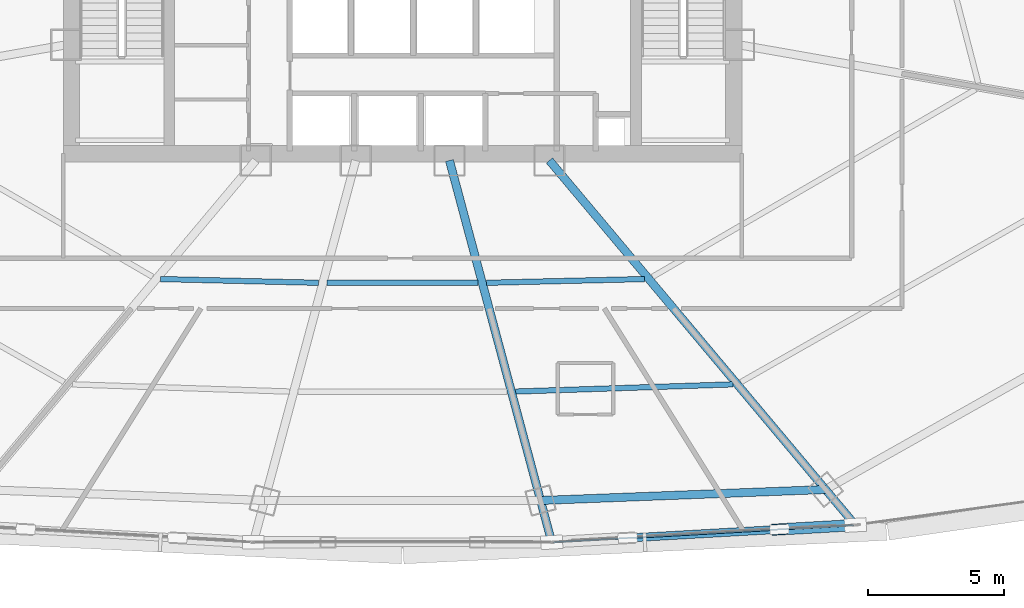
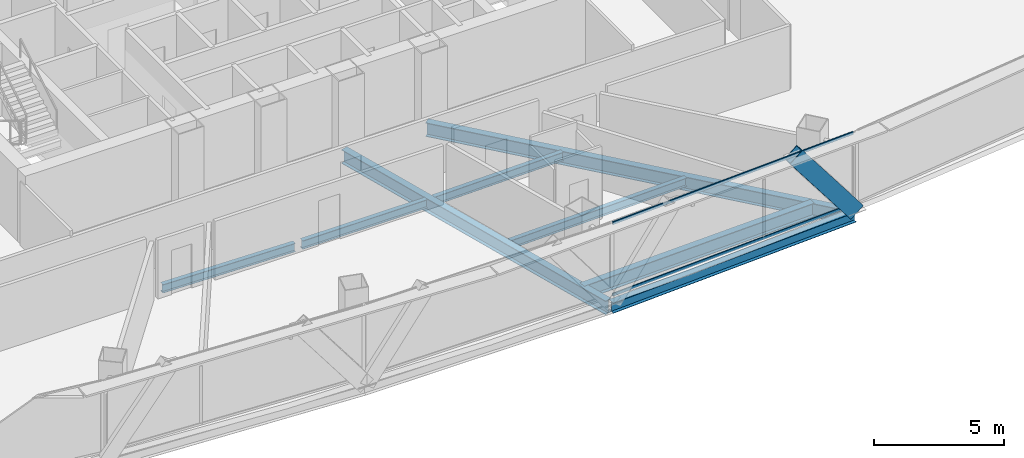
# One storey, part 13 of 39: 8 beams, 3 members, 1 element without a shape of its own.
"""IFC4 building model written with IfcOpenShell, lengths in metres."""

from ifc_helpers import new_model, si_unit, direction, frame, origin, origin_2d, place, context, subcontext, project, spatial, hollow_rectangle, i_section, extrude, source, transform, mapped, material, layer, layer_set, material_profile, profile_set, type_object, element, aggregate, save


model = new_model("IFC4")

# Units and contexts
model_context = context("Model", 3, precision=1e-05, world=origin(), true_north=direction((0.0, 1.0)))
body_context = subcontext(model_context, "Body", "Model", "MODEL_VIEW")
ifc_project = project(units=[si_unit("LENGTHUNIT", "METRE"), si_unit("AREAUNIT", "SQUARE_METRE"), si_unit("VOLUMEUNIT", "CUBIC_METRE"), si_unit("PLANEANGLEUNIT", "RADIAN"), si_unit("MASSUNIT", "GRAM", prefix="KILO"), si_unit("THERMODYNAMICTEMPERATUREUNIT", "KELVIN"), si_unit("POWERUNIT", "WATT")], contexts=[model_context])

# Site, building, storey
site_placement = place(None, origin())
site = spatial("IfcSite", under=ifc_project, at=site_placement, CompositionType="ELEMENT")
building_placement = place(site_placement, origin())
building = spatial("IfcBuilding", under=site, at=building_placement, Name="Yunzhuo Pagoda Commons", CompositionType="ELEMENT")
storey_placement = place(building_placement, frame((0.0, 0.0, 144.550048828125)))
storey = spatial("IfcBuildingStorey", under=building, at=storey_placement, Name="L36", CompositionType="ELEMENT", Elevation=144.550048828125)

# Beams
ifc_material_1 = material(Name="Structural steel Q355B", Category="steel")
ifc_material_profile_1 = material_profile(ifc_material_1, i_section(OverallWidth=0.300048828125, OverallDepth=0.64990234375, WebThickness=0.012939453125, FlangeThickness=0.02197265625, at=origin_2d()), Name="Structural steel Q355B")
ifc_profile_set_1 = profile_set([ifc_material_profile_1], Name="Structural steel Q355B")
beam_type_1 = type_object("IfcBeamType", Name="B-RG2 Beam HN 650x300x13x22", PredefinedType="BEAM", material=ifc_profile_set_1)
shared_shape_1 = source(origin(), body_context, "Body", "SweptSolid", [
    extrude(i_section(OverallWidth=0.300048828125, OverallDepth=0.64990234375, WebThickness=0.012939453125, FlangeThickness=0.02197265625, at=origin_2d()), origin(), (0.0, 0.0, 1.0), 10.5078125),
])
beam_1_placement = place(storey_placement, frame((53.085205078125, 14.7216796875, -0.5849609375), z_axis=(0.999258632812, 0.03849915259, 0.0), x_axis=(-0.03849915259, 0.999258632812, 0.0)))
element("IfcBeam", 1, at=beam_1_placement, inside=storey, type_object=beam_type_1, Name="L36 column-ring beam 3", PredefinedType="BEAM", context=body_context, shape_type="MappedRepresentation", body=[
    mapped(shared_shape_1, transform((0.0, 0.0, 0.0), scale=1.0)),
])
ifc_material_profile_2 = material_profile(ifc_material_1, i_section(OverallWidth=0.199951171875, OverallDepth=0.39990234375, WebThickness=0.008056640625, FlangeThickness=0.012939453125, at=origin_2d()), Name="Structural steel Q355B")
ifc_profile_set_2 = profile_set([ifc_material_profile_2], Name="Structural steel Q355B")
beam_type_2 = type_object("IfcBeamType", Name="B-JS1 Joist HN 400x200x8x13", PredefinedType="JOIST", material=ifc_profile_set_2)
shared_shape_2 = source(origin(), body_context, "Body", "SweptSolid", [
    extrude(i_section(OverallWidth=0.199951171875, OverallDepth=0.39990234375, WebThickness=0.008056640625, FlangeThickness=0.012939453125, at=origin_2d()), origin(), (0.0, 0.0, 1.0), 5.821533203125),
])
for number, where, z_axis, x_axis, name in (
    (2, (39.08447265625, 22.881591796875, -0.4599609375), (0.999718239795, -0.023736912649, 0.0), (0.023736912649, 0.999718239795, 0.0), "L36 composite ring joist 1.1"),
    (3, (51.095703125, 22.743408203125, -0.4599609375), (0.999718239795, 0.023736912649, 0.0), (-0.023736912649, 0.999718239795, 0.0), "L36 composite ring joist 1.3"),
):
    element("IfcBeam", number, at=place(storey_placement, frame(where, z_axis=z_axis, x_axis=x_axis)), inside=storey, type_object=beam_type_2, Name=name, PredefinedType="JOIST", context=body_context, shape_type="MappedRepresentation", body=[
        mapped(shared_shape_2, transform((0.0, 0.0, 0.0), scale=1.0)),
    ])
shared_shape_3 = source(origin(), body_context, "Body", "SweptSolid", [
    extrude(i_section(OverallWidth=0.199951171875, OverallDepth=0.39990234375, WebThickness=0.008056640625, FlangeThickness=0.012939453125, at=origin_2d()), origin(), (0.0, 0.0, 1.0), 8.00537109375),
])
beam_2_placement = place(storey_placement, frame((52.169921875, 18.73583984375, -0.4599609375), z_axis=(0.999453403952, 0.033058937199, 0.0), x_axis=(-0.033058937199, 0.999453403952, 0.0)))
element("IfcBeam", 4, at=beam_2_placement, inside=storey, type_object=beam_type_2, Name="L36 composite ring joist 2.3", PredefinedType="JOIST", context=body_context, shape_type="MappedRepresentation", body=[
    mapped(shared_shape_3, transform((0.0, 0.0, 0.0), scale=1.0)),
])
shared_shape_4 = source(origin(), body_context, "Body", "SweptSolid", [
    extrude(i_section(OverallWidth=0.199951171875, OverallDepth=0.39990234375, WebThickness=0.008056640625, FlangeThickness=0.012939453125, at=origin_2d()), origin(), (0.0, 0.0, 1.0), 5.5556640625),
])
beam_3_placement = place(storey_placement, frame((45.22216796875, 22.73974609375, -0.4599609375), z_axis=(1.0, 0.0, 0.0), x_axis=(0.0, 1.0, 0.0)))
element("IfcBeam", 5, at=beam_3_placement, inside=storey, type_object=beam_type_2, Name="L36 composite ring joist 1.2", PredefinedType="JOIST", context=body_context, shape_type="MappedRepresentation", body=[
    mapped(shared_shape_4, transform((0.0, 0.0, 0.0), scale=1.0)),
])
shared_shape_5 = source(origin(), body_context, "Body", "SweptSolid", [
    extrude(i_section(OverallWidth=0.300048828125, OverallDepth=0.64990234375, WebThickness=0.012939453125, FlangeThickness=0.02197265625, at=origin_2d()), origin(), (0.0, 0.0, 1.0), 14.41064453125),
])
beam_4_placement = place(storey_placement, frame((53.4580078125, 13.330322265625, -0.5849609375), z_axis=(-0.258801290743, 0.96593058338, 0.0), x_axis=(-0.96593058338, -0.258801290743, 0.0)))
element("IfcBeam", 6, at=beam_4_placement, inside=storey, type_object=beam_type_1, Name="L36 radial floor girder F1C3", PredefinedType="BEAM", context=body_context, shape_type="MappedRepresentation", body=[
    mapped(shared_shape_5, transform((0.0, 0.0, 0.0), scale=1.0)),
])
shared_shape_6 = source(origin(), body_context, "Body", "SweptSolid", [
    extrude(i_section(OverallWidth=0.300048828125, OverallDepth=0.64990234375, WebThickness=0.012939453125, FlangeThickness=0.02197265625, at=origin_2d()), origin(), (0.0, 0.0, 1.0), 17.383544921875),
])
beam_5_placement = place(storey_placement, frame((64.586181640625, 13.93359375, -0.5849609375), z_axis=(-0.642797085121, 0.766036492186, 0.0), x_axis=(-0.766036492186, -0.642797085121, 0.0)))
element("IfcBeam", 7, at=beam_5_placement, inside=storey, type_object=beam_type_1, Name="L36 radial floor girder F1C4", PredefinedType="BEAM", context=body_context, shape_type="MappedRepresentation", body=[
    mapped(shared_shape_6, transform((0.0, 0.0, 0.0), scale=1.0)),
])
ifc_material_profile_3 = material_profile(ifc_material_1, i_section(OverallWidth=0.300048828125, OverallDepth=0.488037109375, WebThickness=0.010986328125, FlangeThickness=0.01806640625, at=origin_2d()), Name="Structural steel Q355B")
ifc_profile_set_3 = profile_set([ifc_material_profile_3], Name="Structural steel Q355B")
beam_type_3 = type_object("IfcBeamType", Name="B-SP1 Beam HM 488x300x11x18", PredefinedType="BEAM", material=ifc_profile_set_3)
shared_shape_7 = source(origin(), body_context, "Body", "SweptSolid", [
    extrude(i_section(OverallWidth=0.300048828125, OverallDepth=0.488037109375, WebThickness=0.010986328125, FlangeThickness=0.01806640625, at=origin_2d()), origin(), (0.0, 0.0, 1.0), 11.20556640625),
])
beam_6_placement = place(storey_placement, frame((53.498046875, 13.1806640625, -0.504150390625), z_axis=(0.998396692346, 0.056604281746, 0.0), x_axis=(-0.056604281746, 0.998396692346, 0.0)))
element("IfcBeam", 8, at=beam_6_placement, inside=storey, type_object=beam_type_3, Name="L36 facade edge spandrel beam F1.3", PredefinedType="BEAM", context=body_context, shape_type="MappedRepresentation", body=[
    mapped(shared_shape_7, transform((0.0, 0.0, 0.0), scale=1.0)),
])

# Member
ifc_material_2 = material(Name="Structural steel Q420B", Category="steel")
ifc_material_profile_4 = material_profile(ifc_material_2, hollow_rectangle(XDim=0.419921875, YDim=0.719970703125, WallThickness=0.028076171875, at=origin_2d()), Name="Structural steel Q420B")
ifc_profile_set_4 = profile_set([ifc_material_profile_4], Name="Structural steel Q420B")
member_type_1 = type_object("IfcMemberType", Name="M-DL1 Brace BOX 720x420x28", PredefinedType="BRACE", material=ifc_profile_set_4)
shared_shape_8 = source(origin(), body_context, "Body", "SweptSolid", [
    extrude(hollow_rectangle(XDim=0.419921875, YDim=0.719970703125, WallThickness=0.028076171875, at=origin_2d()), origin(), (0.0, 0.0, 1.0), 4.625),
])
member_1_placement = place(storey_placement, frame((64.685546875, 13.81494140625, -0.260009765625), z_axis=(-0.604744365937, -0.034312485847, 0.795680152563), x_axis=(0.056647717242, -0.998394228815, 0.0)))
element("IfcMember", 9, at=member_1_placement, inside=storey, type_object=member_type_1, Name="L36 facade diamond brace F1.3R", PredefinedType="BRACE", context=body_context, shape_type="MappedRepresentation", body=[
    mapped(shared_shape_8, transform((0.0, 0.0, 0.0), scale=1.0)),
])

# Curtain wall, members
ifc_material_3 = material(Name="Anodized aluminium 6063-T6", Category="aluminium")
ifc_layer = layer(ifc_material_3, 0.14990234375)
ifc_layer_set = layer_set([ifc_layer], Name="Anodized aluminium 6063-T6")
curtain_wall_type = type_object("IfcCurtainWallType", Name="CW-MID Mid-Zone Ribbon Curtain Wall", PredefinedType="NOTDEFINED", material=ifc_layer_set)
curtain_wall_placement = place(storey_placement, origin())
curtain_wall = element("IfcCurtainWall", 10, at=curtain_wall_placement, inside=storey, type_object=curtain_wall_type, Name="L36 curtain wall CW-L36-F1B4", PredefinedType="NOTDEFINED")
ifc_material_profile_5 = material_profile(ifc_material_3, hollow_rectangle(XDim=0.054931640625, YDim=0.1298828125, WallThickness=0.00341796875, at=origin_2d()), Name="Anodized aluminium 6063-T6")
ifc_profile_set_5 = profile_set([ifc_material_profile_5], Name="Anodized aluminium 6063-T6")
member_type_2 = type_object("IfcMemberType", Name="CW-MID-T Transom RHS 130x55x3.5", PredefinedType="USERDEFINED", material=ifc_profile_set_5)
shared_shape_9 = source(origin(), body_context, "Body", "SweptSolid", [
    extrude(hollow_rectangle(XDim=0.054931640625, YDim=0.1298828125, WallThickness=0.00341796875, at=origin_2d()), origin(), (0.0, 0.0, 1.0), 11.085205078125),
])
member_2_placement = place(storey_placement, frame((53.558349609375, 13.18408203125, 0.02734375), z_axis=(0.998396824241, 0.056601955314, 0.0), x_axis=(-0.056601955314, 0.998396824241, 0.0)))
member_2 = element("IfcMember", 11, at=member_2_placement, type_object=member_type_2, Name="CW transom 1.1", ObjectType="TRANSOM", PredefinedType="USERDEFINED", context=body_context, shape_type="MappedRepresentation", body=[
    mapped(shared_shape_9, transform((0.0, 0.0, 0.0), scale=1.0)),
])
member_3_placement = place(storey_placement, frame((53.558349609375, 13.18408203125, 3.392333984375), z_axis=(0.998396824241, 0.056601955314, 0.0), x_axis=(-0.056601955314, 0.998396824241, 0.0)))
member_3 = element("IfcMember", 12, at=member_3_placement, type_object=member_type_2, Name="CW transom 1.2", ObjectType="TRANSOM", PredefinedType="USERDEFINED", context=body_context, shape_type="MappedRepresentation", body=[
    mapped(shared_shape_9, transform((0.0, 0.0, 0.0), scale=1.0)),
])
aggregate(curtain_wall, [member_2, member_3])

save(model, "model.ifc")
